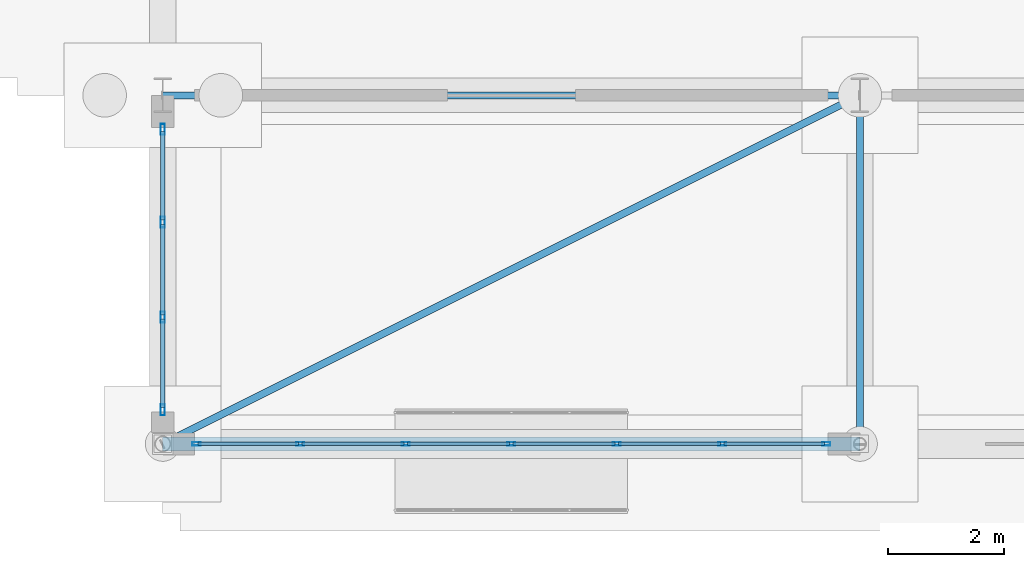
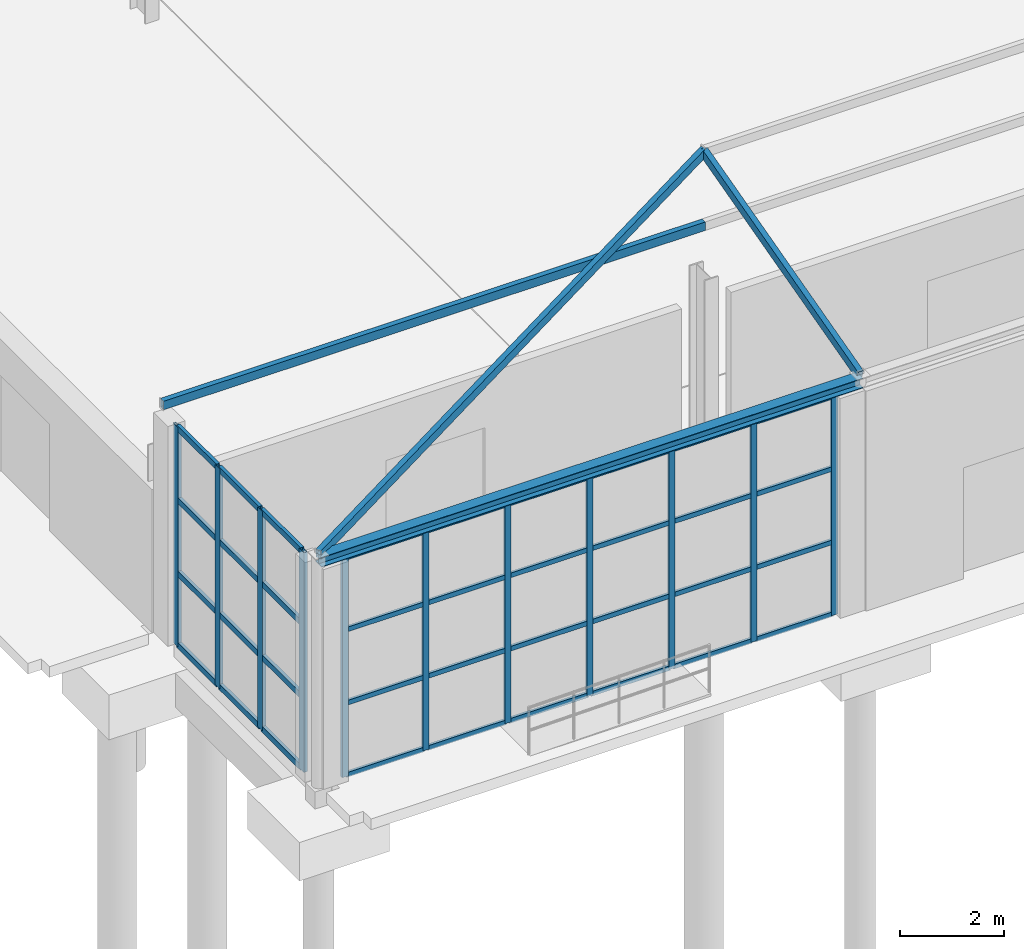
# One storey, part 35 of 77: 49 members, 2 beams, 2 elements without a shape of their own.
"""IFC4 building model written with IfcOpenShell, lengths in metres."""

from ifc_helpers import new_model, si_unit, direction, frame, origin, origin_2d, place, context, subcontext, project, spatial, hollow_rectangle, i_section, extrude, material, layer, layer_set, material_profile, profile_set, type_object, element, aggregate, save


model = new_model("IFC4")

# Units and contexts
model_context = context("Model", 3, precision=1e-05, world=origin(), true_north=direction((0.0, 1.0)))
body_context = subcontext(model_context, "Body", "Model", "MODEL_VIEW")
ifc_project = project(units=[si_unit("LENGTHUNIT", "METRE"), si_unit("AREAUNIT", "SQUARE_METRE"), si_unit("VOLUMEUNIT", "CUBIC_METRE"), si_unit("PLANEANGLEUNIT", "RADIAN"), si_unit("MASSUNIT", "GRAM", prefix="KILO")], contexts=[model_context])

# Site, building, storey
site_placement = place(None, origin())
site = spatial("IfcSite", under=ifc_project, at=site_placement, CompositionType="ELEMENT")
building_placement = place(site_placement, origin())
building = spatial("IfcBuilding", under=site, at=building_placement, Name="Zilviju Railside Exhibition Hall", CompositionType="ELEMENT")
storey_placement = place(building_placement, origin())
storey = spatial("IfcBuildingStorey", under=building, at=storey_placement, Name="L01", CompositionType="ELEMENT", Elevation=0.0)

# Beams
ifc_material_1 = material(Name="Steel S355ML", Category="steel")
ifc_material_profile_1 = material_profile(ifc_material_1, i_section(OverallWidth=0.239990234375, OverallDepth=0.22998046875, WebThickness=0.007568359375, FlangeThickness=0.011962890625, at=origin_2d()), Name="HEA 240")
ifc_profile_set_1 = profile_set([ifc_material_profile_1], Name="Steel S355ML")
beam_type_1 = type_object("IfcBeamType", Name="BM-HEA240", PredefinedType="SPANDREL", material=ifc_profile_set_1)
beam_1_placement = place(storey_placement, frame((48.0, -6.0, 5.280029296875), z_axis=(1.0, 0.0, 0.0), x_axis=(0.0, 1.0, 0.0)))
element("IfcBeam", 1, at=beam_1_placement, inside=storey, type_object=beam_type_1, Name="Porch Eave Beam Y=-6.0 (48.0..60.0)", PredefinedType="SPANDREL", context=body_context, shape_type="SweptSolid", body=[
    extrude(i_section(OverallWidth=0.239990234375, OverallDepth=0.22998046875, WebThickness=0.007568359375, FlangeThickness=0.011962890625, at=origin_2d()), origin(), (0.0, 0.0, 1.0), 12.0),
])
ifc_material_profile_2 = material_profile(ifc_material_1, hollow_rectangle(XDim=0.1201171875, YDim=0.199951171875, WallThickness=0.008056640625, at=origin_2d()), Name="RHS 200x120x8.0")
ifc_profile_set_2 = profile_set([ifc_material_profile_2], Name="Steel S355ML")
beam_type_2 = type_object("IfcBeamType", Name="BM-RHS200", PredefinedType="LINTEL", material=ifc_profile_set_2)
beam_2_placement = place(storey_placement, frame((48.0, 0.0, 5.280029296875), z_axis=(1.0, 0.0, 0.0), x_axis=(0.0, 1.0, 0.0)))
element("IfcBeam", 2, at=beam_2_placement, inside=storey, type_object=beam_type_2, Name="Porch Eave Beam Y=0.0 (48.0..60.0)", PredefinedType="LINTEL", context=body_context, shape_type="SweptSolid", body=[
    extrude(hollow_rectangle(XDim=0.1201171875, YDim=0.199951171875, WallThickness=0.008056640625, at=origin_2d()), origin(), (0.0, 0.0, 1.0), 12.0),
])

# Curtain wall, members
ifc_material_2 = material(Name="Thermally broken aluminium-steel triple-glazed curtain wall", Category="steel")
ifc_layer_1 = layer(ifc_material_2, 0.179931640625)
ifc_layer_set_1 = layer_set([ifc_layer_1], Name="Thermally broken aluminium-steel triple-glazed curtain wall")
curtain_wall_type_1 = type_object("IfcCurtainWallType", Name="CW-BAY-07", PredefinedType="USERDEFINED", material=ifc_layer_set_1)
curtain_wall_1_placement = place(storey_placement, origin())
curtain_wall_1 = element("IfcCurtainWall", 3, at=curtain_wall_1_placement, inside=storey, type_object=curtain_wall_type_1, Name="Glazed Entrance Porch South Curtain Wall (48..60)", ObjectType="GLAZED CURTAIN WALL", PredefinedType="USERDEFINED")
ifc_material_3 = material(Name="Thermally broken anodized aluminium mullion", Category="aluminium")
ifc_material_profile_3 = material_profile(ifc_material_3, hollow_rectangle(XDim=0.06005859375, YDim=0.139892578125, WallThickness=0.0048828125, at=origin_2d()), Name="MULLION 140x60x5")
ifc_profile_set_3 = profile_set([ifc_material_profile_3], Name="Thermally broken anodized aluminium mullion")
member_type_1 = type_object("IfcMemberType", Name="CWM-60x140", PredefinedType="MULLION", material=ifc_profile_set_3)
member_1_placement = place(storey_placement, frame((59.419921875, -6.0, 0.0), z_axis=(0.0, 0.0, 1.0), x_axis=(0.0, -1.0, 0.0)))
member_1 = element("IfcMember", 4, at=member_1_placement, type_object=member_type_1, Name="CW-07 mullion 1", PredefinedType="MULLION", context=body_context, shape_type="SweptSolid", body=[
    extrude(hollow_rectangle(XDim=0.06005859375, YDim=0.139892578125, WallThickness=0.0048828125, at=origin_2d()), origin(), (0.0, 0.0, 1.0), 5.14990234375),
])
member_2_placement = place(storey_placement, frame((57.63330078125, -6.0, 0.0), z_axis=(0.0, 0.0, 1.0), x_axis=(0.0, -1.0, 0.0)))
member_2 = element("IfcMember", 5, at=member_2_placement, type_object=member_type_1, Name="CW-07 mullion 2", PredefinedType="MULLION", context=body_context, shape_type="SweptSolid", body=[
    extrude(hollow_rectangle(XDim=0.06005859375, YDim=0.139892578125, WallThickness=0.0048828125, at=origin_2d()), origin(), (0.0, 0.0, 1.0), 5.14990234375),
])
member_3_placement = place(storey_placement, frame((55.816650390625, -6.0, 0.0), z_axis=(0.0, 0.0, 1.0), x_axis=(0.0, -1.0, 0.0)))
member_3 = element("IfcMember", 6, at=member_3_placement, type_object=member_type_1, Name="CW-07 mullion 3", PredefinedType="MULLION", context=body_context, shape_type="SweptSolid", body=[
    extrude(hollow_rectangle(XDim=0.06005859375, YDim=0.139892578125, WallThickness=0.0048828125, at=origin_2d()), origin(), (0.0, 0.0, 1.0), 5.14990234375),
])
member_4_placement = place(storey_placement, frame((54.0, -6.0, 0.0), z_axis=(0.0, 0.0, 1.0), x_axis=(0.0, -1.0, 0.0)))
member_4 = element("IfcMember", 7, at=member_4_placement, type_object=member_type_1, Name="CW-07 mullion 4", PredefinedType="MULLION", context=body_context, shape_type="SweptSolid", body=[
    extrude(hollow_rectangle(XDim=0.06005859375, YDim=0.139892578125, WallThickness=0.0048828125, at=origin_2d()), origin(), (0.0, 0.0, 1.0), 5.14990234375),
])
member_5_placement = place(storey_placement, frame((52.183349609375, -6.0, 0.0), z_axis=(0.0, 0.0, 1.0), x_axis=(0.0, -1.0, 0.0)))
member_5 = element("IfcMember", 8, at=member_5_placement, type_object=member_type_1, Name="CW-07 mullion 5", PredefinedType="MULLION", context=body_context, shape_type="SweptSolid", body=[
    extrude(hollow_rectangle(XDim=0.06005859375, YDim=0.139892578125, WallThickness=0.0048828125, at=origin_2d()), origin(), (0.0, 0.0, 1.0), 5.14990234375),
])
member_6_placement = place(storey_placement, frame((50.36669921875, -6.0, 0.0), z_axis=(0.0, 0.0, 1.0), x_axis=(0.0, -1.0, 0.0)))
member_6 = element("IfcMember", 9, at=member_6_placement, type_object=member_type_1, Name="CW-07 mullion 6", PredefinedType="MULLION", context=body_context, shape_type="SweptSolid", body=[
    extrude(hollow_rectangle(XDim=0.06005859375, YDim=0.139892578125, WallThickness=0.0048828125, at=origin_2d()), origin(), (0.0, 0.0, 1.0), 5.14990234375),
])
member_7_placement = place(storey_placement, frame((48.580078125, -6.0, 0.0), z_axis=(0.0, 0.0, 1.0), x_axis=(0.0, -1.0, 0.0)))
member_7 = element("IfcMember", 10, at=member_7_placement, type_object=member_type_1, Name="CW-07 mullion 7", PredefinedType="MULLION", context=body_context, shape_type="SweptSolid", body=[
    extrude(hollow_rectangle(XDim=0.06005859375, YDim=0.139892578125, WallThickness=0.0048828125, at=origin_2d()), origin(), (0.0, 0.0, 1.0), 5.14990234375),
])

ifc_layer_2 = layer(ifc_material_2, 0.179931640625)
ifc_layer_set_2 = layer_set([ifc_layer_2], Name="Thermally broken aluminium-steel triple-glazed curtain wall")
curtain_wall_type_2 = type_object("IfcCurtainWallType", Name="CW-BAY-09", PredefinedType="USERDEFINED", material=ifc_layer_set_2)
curtain_wall_2_placement = place(storey_placement, origin())
curtain_wall_2 = element("IfcCurtainWall", 11, at=curtain_wall_2_placement, inside=storey, type_object=curtain_wall_type_2, Name="Glazed Entrance Porch West Curtain Wall", ObjectType="GLAZED CURTAIN WALL", PredefinedType="USERDEFINED")
ifc_material_profile_4 = material_profile(ifc_material_3, hollow_rectangle(XDim=0.074951171875, YDim=0.18994140625, WallThickness=0.0048828125, at=origin_2d()), Name="MULLION 190x75x5")
ifc_profile_set_4 = profile_set([ifc_material_profile_4], Name="Thermally broken anodized aluminium mullion")
member_type_2 = type_object("IfcMemberType", Name="CWM-75x190", PredefinedType="MULLION", material=ifc_profile_set_4)
member_8_placement = place(storey_placement, frame((48.0, -5.41259765625, 0.0), z_axis=(0.0, 0.0, 1.0), x_axis=(-1.0, 0.0, 0.0)))
member_8 = element("IfcMember", 12, at=member_8_placement, type_object=member_type_2, Name="CW-09 mullion 1", PredefinedType="MULLION", context=body_context, shape_type="SweptSolid", body=[
    extrude(hollow_rectangle(XDim=0.074951171875, YDim=0.18994140625, WallThickness=0.0048828125, at=origin_2d()), origin(), (0.0, 0.0, 1.0), 5.14990234375),
])
member_9_placement = place(storey_placement, frame((48.0, -3.816650390625, 0.0), z_axis=(0.0, 0.0, 1.0), x_axis=(-1.0, 0.0, 0.0)))
member_9 = element("IfcMember", 13, at=member_9_placement, type_object=member_type_2, Name="CW-09 mullion 2", PredefinedType="MULLION", context=body_context, shape_type="SweptSolid", body=[
    extrude(hollow_rectangle(XDim=0.074951171875, YDim=0.18994140625, WallThickness=0.0048828125, at=origin_2d()), origin(), (0.0, 0.0, 1.0), 5.14990234375),
])
member_10_placement = place(storey_placement, frame((48.0, -2.183349609375, 0.0), z_axis=(0.0, 0.0, 1.0), x_axis=(-1.0, 0.0, 0.0)))
member_10 = element("IfcMember", 14, at=member_10_placement, type_object=member_type_2, Name="CW-09 mullion 3", PredefinedType="MULLION", context=body_context, shape_type="SweptSolid", body=[
    extrude(hollow_rectangle(XDim=0.074951171875, YDim=0.18994140625, WallThickness=0.0048828125, at=origin_2d()), origin(), (0.0, 0.0, 1.0), 5.14990234375),
])
member_11_placement = place(storey_placement, frame((48.0, -0.58740234375, 0.0), z_axis=(0.0, 0.0, 1.0), x_axis=(-1.0, 0.0, 0.0)))
member_11 = element("IfcMember", 15, at=member_11_placement, type_object=member_type_2, Name="CW-09 mullion 4", PredefinedType="MULLION", context=body_context, shape_type="SweptSolid", body=[
    extrude(hollow_rectangle(XDim=0.074951171875, YDim=0.18994140625, WallThickness=0.0048828125, at=origin_2d()), origin(), (0.0, 0.0, 1.0), 5.14990234375),
])

# Member
ifc_material_4 = material(Name="Thermally broken anodized aluminium transom", Category="aluminium")
ifc_material_profile_5 = material_profile(ifc_material_4, hollow_rectangle(XDim=0.06005859375, YDim=0.110107421875, WallThickness=0.0048828125, at=origin_2d()), Name="TRANSOM 110x60x5")
ifc_profile_set_5 = profile_set([ifc_material_profile_5], Name="Thermally broken anodized aluminium transom")
member_type_3 = type_object("IfcMemberType", Name="CWT-60x110", PredefinedType="USERDEFINED", material=ifc_profile_set_5)
member_12_placement = place(storey_placement, frame((59.389892578125, -6.0, 0.030029296875), z_axis=(-1.0, 0.0, 0.0), x_axis=(0.0, -1.0, 0.0)))
member_12 = element("IfcMember", 16, at=member_12_placement, type_object=member_type_3, Name="CW-07 transom 1.1", ObjectType="TRANSOM", PredefinedType="USERDEFINED", context=body_context, shape_type="SweptSolid", body=[
    extrude(hollow_rectangle(XDim=0.06005859375, YDim=0.110107421875, WallThickness=0.0048828125, at=origin_2d()), origin(), (0.0, 0.0, 1.0), 1.7265625),
])

member_13_placement = place(storey_placement, frame((59.389892578125, -6.0, 1.717041015625), z_axis=(-1.0, 0.0, 0.0), x_axis=(0.0, -1.0, 0.0)))
member_13 = element("IfcMember", 17, at=member_13_placement, type_object=member_type_3, Name="CW-07 transom 1.2", ObjectType="TRANSOM", PredefinedType="USERDEFINED", context=body_context, shape_type="SweptSolid", body=[
    extrude(hollow_rectangle(XDim=0.06005859375, YDim=0.110107421875, WallThickness=0.0048828125, at=origin_2d()), origin(), (0.0, 0.0, 1.0), 1.7265625),
])

member_14_placement = place(storey_placement, frame((59.389892578125, -6.0, 3.43310546875), z_axis=(-1.0, 0.0, 0.0), x_axis=(0.0, -1.0, 0.0)))
member_14 = element("IfcMember", 18, at=member_14_placement, type_object=member_type_3, Name="CW-07 transom 1.3", ObjectType="TRANSOM", PredefinedType="USERDEFINED", context=body_context, shape_type="SweptSolid", body=[
    extrude(hollow_rectangle(XDim=0.06005859375, YDim=0.110107421875, WallThickness=0.0048828125, at=origin_2d()), origin(), (0.0, 0.0, 1.0), 1.7265625),
])

member_15_placement = place(storey_placement, frame((59.389892578125, -6.0, 5.1201171875), z_axis=(-1.0, 0.0, 0.0), x_axis=(0.0, -1.0, 0.0)))
member_15 = element("IfcMember", 19, at=member_15_placement, type_object=member_type_3, Name="CW-07 transom 1.4", ObjectType="TRANSOM", PredefinedType="USERDEFINED", context=body_context, shape_type="SweptSolid", body=[
    extrude(hollow_rectangle(XDim=0.06005859375, YDim=0.110107421875, WallThickness=0.0048828125, at=origin_2d()), origin(), (0.0, 0.0, 1.0), 1.7265625),
])

member_16_placement = place(storey_placement, frame((57.603271484375, -6.0, 0.030029296875), z_axis=(-1.0, 0.0, 0.0), x_axis=(0.0, -1.0, 0.0)))
member_16 = element("IfcMember", 20, at=member_16_placement, type_object=member_type_3, Name="CW-07 transom 2.1", ObjectType="TRANSOM", PredefinedType="USERDEFINED", context=body_context, shape_type="SweptSolid", body=[
    extrude(hollow_rectangle(XDim=0.06005859375, YDim=0.110107421875, WallThickness=0.0048828125, at=origin_2d()), origin(), (0.0, 0.0, 1.0), 1.756591796875),
])

member_17_placement = place(storey_placement, frame((57.603271484375, -6.0, 1.717041015625), z_axis=(-1.0, 0.0, 0.0), x_axis=(0.0, -1.0, 0.0)))
member_17 = element("IfcMember", 21, at=member_17_placement, type_object=member_type_3, Name="CW-07 transom 2.2", ObjectType="TRANSOM", PredefinedType="USERDEFINED", context=body_context, shape_type="SweptSolid", body=[
    extrude(hollow_rectangle(XDim=0.06005859375, YDim=0.110107421875, WallThickness=0.0048828125, at=origin_2d()), origin(), (0.0, 0.0, 1.0), 1.756591796875),
])

member_18_placement = place(storey_placement, frame((57.603271484375, -6.0, 3.43310546875), z_axis=(-1.0, 0.0, 0.0), x_axis=(0.0, -1.0, 0.0)))
member_18 = element("IfcMember", 22, at=member_18_placement, type_object=member_type_3, Name="CW-07 transom 2.3", ObjectType="TRANSOM", PredefinedType="USERDEFINED", context=body_context, shape_type="SweptSolid", body=[
    extrude(hollow_rectangle(XDim=0.06005859375, YDim=0.110107421875, WallThickness=0.0048828125, at=origin_2d()), origin(), (0.0, 0.0, 1.0), 1.756591796875),
])

member_19_placement = place(storey_placement, frame((57.603271484375, -6.0, 5.1201171875), z_axis=(-1.0, 0.0, 0.0), x_axis=(0.0, -1.0, 0.0)))
member_19 = element("IfcMember", 23, at=member_19_placement, type_object=member_type_3, Name="CW-07 transom 2.4", ObjectType="TRANSOM", PredefinedType="USERDEFINED", context=body_context, shape_type="SweptSolid", body=[
    extrude(hollow_rectangle(XDim=0.06005859375, YDim=0.110107421875, WallThickness=0.0048828125, at=origin_2d()), origin(), (0.0, 0.0, 1.0), 1.756591796875),
])

member_20_placement = place(storey_placement, frame((55.78662109375, -6.0, 0.030029296875), z_axis=(-1.0, 0.0, 0.0), x_axis=(0.0, -1.0, 0.0)))
member_20 = element("IfcMember", 24, at=member_20_placement, type_object=member_type_3, Name="CW-07 transom 3.1", ObjectType="TRANSOM", PredefinedType="USERDEFINED", context=body_context, shape_type="SweptSolid", body=[
    extrude(hollow_rectangle(XDim=0.06005859375, YDim=0.110107421875, WallThickness=0.0048828125, at=origin_2d()), origin(), (0.0, 0.0, 1.0), 1.756591796875),
])

member_21_placement = place(storey_placement, frame((55.78662109375, -6.0, 1.717041015625), z_axis=(-1.0, 0.0, 0.0), x_axis=(0.0, -1.0, 0.0)))
member_21 = element("IfcMember", 25, at=member_21_placement, type_object=member_type_3, Name="CW-07 transom 3.2", ObjectType="TRANSOM", PredefinedType="USERDEFINED", context=body_context, shape_type="SweptSolid", body=[
    extrude(hollow_rectangle(XDim=0.06005859375, YDim=0.110107421875, WallThickness=0.0048828125, at=origin_2d()), origin(), (0.0, 0.0, 1.0), 1.756591796875),
])

member_22_placement = place(storey_placement, frame((55.78662109375, -6.0, 3.43310546875), z_axis=(-1.0, 0.0, 0.0), x_axis=(0.0, -1.0, 0.0)))
member_22 = element("IfcMember", 26, at=member_22_placement, type_object=member_type_3, Name="CW-07 transom 3.3", ObjectType="TRANSOM", PredefinedType="USERDEFINED", context=body_context, shape_type="SweptSolid", body=[
    extrude(hollow_rectangle(XDim=0.06005859375, YDim=0.110107421875, WallThickness=0.0048828125, at=origin_2d()), origin(), (0.0, 0.0, 1.0), 1.756591796875),
])

member_23_placement = place(storey_placement, frame((55.78662109375, -6.0, 5.1201171875), z_axis=(-1.0, 0.0, 0.0), x_axis=(0.0, -1.0, 0.0)))
member_23 = element("IfcMember", 27, at=member_23_placement, type_object=member_type_3, Name="CW-07 transom 3.4", ObjectType="TRANSOM", PredefinedType="USERDEFINED", context=body_context, shape_type="SweptSolid", body=[
    extrude(hollow_rectangle(XDim=0.06005859375, YDim=0.110107421875, WallThickness=0.0048828125, at=origin_2d()), origin(), (0.0, 0.0, 1.0), 1.756591796875),
])

member_24_placement = place(storey_placement, frame((53.969970703125, -6.0, 0.030029296875), z_axis=(-1.0, 0.0, 0.0), x_axis=(0.0, -1.0, 0.0)))
member_24 = element("IfcMember", 28, at=member_24_placement, type_object=member_type_3, Name="CW-07 transom 4.1", ObjectType="TRANSOM", PredefinedType="USERDEFINED", context=body_context, shape_type="SweptSolid", body=[
    extrude(hollow_rectangle(XDim=0.06005859375, YDim=0.110107421875, WallThickness=0.0048828125, at=origin_2d()), origin(), (0.0, 0.0, 1.0), 1.756591796875),
])

member_25_placement = place(storey_placement, frame((53.969970703125, -6.0, 1.717041015625), z_axis=(-1.0, 0.0, 0.0), x_axis=(0.0, -1.0, 0.0)))
member_25 = element("IfcMember", 29, at=member_25_placement, type_object=member_type_3, Name="CW-07 transom 4.2", ObjectType="TRANSOM", PredefinedType="USERDEFINED", context=body_context, shape_type="SweptSolid", body=[
    extrude(hollow_rectangle(XDim=0.06005859375, YDim=0.110107421875, WallThickness=0.0048828125, at=origin_2d()), origin(), (0.0, 0.0, 1.0), 1.756591796875),
])

member_26_placement = place(storey_placement, frame((53.969970703125, -6.0, 3.43310546875), z_axis=(-1.0, 0.0, 0.0), x_axis=(0.0, -1.0, 0.0)))
member_26 = element("IfcMember", 30, at=member_26_placement, type_object=member_type_3, Name="CW-07 transom 4.3", ObjectType="TRANSOM", PredefinedType="USERDEFINED", context=body_context, shape_type="SweptSolid", body=[
    extrude(hollow_rectangle(XDim=0.06005859375, YDim=0.110107421875, WallThickness=0.0048828125, at=origin_2d()), origin(), (0.0, 0.0, 1.0), 1.756591796875),
])

member_27_placement = place(storey_placement, frame((53.969970703125, -6.0, 5.1201171875), z_axis=(-1.0, 0.0, 0.0), x_axis=(0.0, -1.0, 0.0)))
member_27 = element("IfcMember", 31, at=member_27_placement, type_object=member_type_3, Name="CW-07 transom 4.4", ObjectType="TRANSOM", PredefinedType="USERDEFINED", context=body_context, shape_type="SweptSolid", body=[
    extrude(hollow_rectangle(XDim=0.06005859375, YDim=0.110107421875, WallThickness=0.0048828125, at=origin_2d()), origin(), (0.0, 0.0, 1.0), 1.756591796875),
])

member_28_placement = place(storey_placement, frame((52.1533203125, -6.0, 0.030029296875), z_axis=(-1.0, 0.0, 0.0), x_axis=(0.0, -1.0, 0.0)))
member_28 = element("IfcMember", 32, at=member_28_placement, type_object=member_type_3, Name="CW-07 transom 5.1", ObjectType="TRANSOM", PredefinedType="USERDEFINED", context=body_context, shape_type="SweptSolid", body=[
    extrude(hollow_rectangle(XDim=0.06005859375, YDim=0.110107421875, WallThickness=0.0048828125, at=origin_2d()), origin(), (0.0, 0.0, 1.0), 1.756591796875),
])

member_29_placement = place(storey_placement, frame((52.1533203125, -6.0, 1.717041015625), z_axis=(-1.0, 0.0, 0.0), x_axis=(0.0, -1.0, 0.0)))
member_29 = element("IfcMember", 33, at=member_29_placement, type_object=member_type_3, Name="CW-07 transom 5.2", ObjectType="TRANSOM", PredefinedType="USERDEFINED", context=body_context, shape_type="SweptSolid", body=[
    extrude(hollow_rectangle(XDim=0.06005859375, YDim=0.110107421875, WallThickness=0.0048828125, at=origin_2d()), origin(), (0.0, 0.0, 1.0), 1.756591796875),
])

member_30_placement = place(storey_placement, frame((52.1533203125, -6.0, 3.43310546875), z_axis=(-1.0, 0.0, 0.0), x_axis=(0.0, -1.0, 0.0)))
member_30 = element("IfcMember", 34, at=member_30_placement, type_object=member_type_3, Name="CW-07 transom 5.3", ObjectType="TRANSOM", PredefinedType="USERDEFINED", context=body_context, shape_type="SweptSolid", body=[
    extrude(hollow_rectangle(XDim=0.06005859375, YDim=0.110107421875, WallThickness=0.0048828125, at=origin_2d()), origin(), (0.0, 0.0, 1.0), 1.756591796875),
])

member_31_placement = place(storey_placement, frame((52.1533203125, -6.0, 5.1201171875), z_axis=(-1.0, 0.0, 0.0), x_axis=(0.0, -1.0, 0.0)))
member_31 = element("IfcMember", 35, at=member_31_placement, type_object=member_type_3, Name="CW-07 transom 5.4", ObjectType="TRANSOM", PredefinedType="USERDEFINED", context=body_context, shape_type="SweptSolid", body=[
    extrude(hollow_rectangle(XDim=0.06005859375, YDim=0.110107421875, WallThickness=0.0048828125, at=origin_2d()), origin(), (0.0, 0.0, 1.0), 1.756591796875),
])

member_32_placement = place(storey_placement, frame((50.336669921875, -6.0, 0.030029296875), z_axis=(-1.0, 0.0, 0.0), x_axis=(0.0, -1.0, 0.0)))
member_32 = element("IfcMember", 36, at=member_32_placement, type_object=member_type_3, Name="CW-07 transom 6.1", ObjectType="TRANSOM", PredefinedType="USERDEFINED", context=body_context, shape_type="SweptSolid", body=[
    extrude(hollow_rectangle(XDim=0.06005859375, YDim=0.110107421875, WallThickness=0.0048828125, at=origin_2d()), origin(), (0.0, 0.0, 1.0), 1.7265625),
])

member_33_placement = place(storey_placement, frame((50.336669921875, -6.0, 1.717041015625), z_axis=(-1.0, 0.0, 0.0), x_axis=(0.0, -1.0, 0.0)))
member_33 = element("IfcMember", 37, at=member_33_placement, type_object=member_type_3, Name="CW-07 transom 6.2", ObjectType="TRANSOM", PredefinedType="USERDEFINED", context=body_context, shape_type="SweptSolid", body=[
    extrude(hollow_rectangle(XDim=0.06005859375, YDim=0.110107421875, WallThickness=0.0048828125, at=origin_2d()), origin(), (0.0, 0.0, 1.0), 1.7265625),
])

member_34_placement = place(storey_placement, frame((50.336669921875, -6.0, 3.43310546875), z_axis=(-1.0, 0.0, 0.0), x_axis=(0.0, -1.0, 0.0)))
member_34 = element("IfcMember", 38, at=member_34_placement, type_object=member_type_3, Name="CW-07 transom 6.3", ObjectType="TRANSOM", PredefinedType="USERDEFINED", context=body_context, shape_type="SweptSolid", body=[
    extrude(hollow_rectangle(XDim=0.06005859375, YDim=0.110107421875, WallThickness=0.0048828125, at=origin_2d()), origin(), (0.0, 0.0, 1.0), 1.7265625),
])

member_35_placement = place(storey_placement, frame((50.336669921875, -6.0, 5.1201171875), z_axis=(-1.0, 0.0, 0.0), x_axis=(0.0, -1.0, 0.0)))
member_35 = element("IfcMember", 39, at=member_35_placement, type_object=member_type_3, Name="CW-07 transom 6.4", ObjectType="TRANSOM", PredefinedType="USERDEFINED", context=body_context, shape_type="SweptSolid", body=[
    extrude(hollow_rectangle(XDim=0.06005859375, YDim=0.110107421875, WallThickness=0.0048828125, at=origin_2d()), origin(), (0.0, 0.0, 1.0), 1.7265625),
])

aggregate(curtain_wall_1, [member_1, member_2, member_3, member_4, member_5, member_6, member_7, member_12, member_13, member_14, member_15, member_16, member_17, member_18, member_19, member_20, member_21, member_22, member_23, member_24, member_25, member_26, member_27, member_28, member_29, member_30, member_31, member_32, member_33, member_34, member_35])

ifc_material_profile_6 = material_profile(ifc_material_4, hollow_rectangle(XDim=0.074951171875, YDim=0.139892578125, WallThickness=0.0048828125, at=origin_2d()), Name="TRANSOM 140x75x5")
ifc_profile_set_6 = profile_set([ifc_material_profile_6], Name="Thermally broken anodized aluminium transom")
member_type_4 = type_object("IfcMemberType", Name="CWT-75x140", PredefinedType="USERDEFINED", material=ifc_profile_set_6)
member_36_placement = place(storey_placement, frame((48.0, -5.375, 0.03759765625), z_axis=(0.0, 1.0, 0.0), x_axis=(-1.0, 0.0, 0.0)))
member_36 = element("IfcMember", 40, at=member_36_placement, type_object=member_type_4, Name="CW-09 transom 1.1", ObjectType="TRANSOM", PredefinedType="USERDEFINED", context=body_context, shape_type="SweptSolid", body=[
    extrude(hollow_rectangle(XDim=0.074951171875, YDim=0.139892578125, WallThickness=0.0048828125, at=origin_2d()), origin(), (0.0, 0.0, 1.0), 1.520751953125),
])

member_37_placement = place(storey_placement, frame((48.0, -5.375, 1.717041015625), z_axis=(0.0, 1.0, 0.0), x_axis=(-1.0, 0.0, 0.0)))
member_37 = element("IfcMember", 41, at=member_37_placement, type_object=member_type_4, Name="CW-09 transom 1.2", ObjectType="TRANSOM", PredefinedType="USERDEFINED", context=body_context, shape_type="SweptSolid", body=[
    extrude(hollow_rectangle(XDim=0.074951171875, YDim=0.139892578125, WallThickness=0.0048828125, at=origin_2d()), origin(), (0.0, 0.0, 1.0), 1.520751953125),
])

member_38_placement = place(storey_placement, frame((48.0, -5.375, 3.43310546875), z_axis=(0.0, 1.0, 0.0), x_axis=(-1.0, 0.0, 0.0)))
member_38 = element("IfcMember", 42, at=member_38_placement, type_object=member_type_4, Name="CW-09 transom 1.3", ObjectType="TRANSOM", PredefinedType="USERDEFINED", context=body_context, shape_type="SweptSolid", body=[
    extrude(hollow_rectangle(XDim=0.074951171875, YDim=0.139892578125, WallThickness=0.0048828125, at=origin_2d()), origin(), (0.0, 0.0, 1.0), 1.520751953125),
])

member_39_placement = place(storey_placement, frame((48.0, -5.375, 5.112548828125), z_axis=(0.0, 1.0, 0.0), x_axis=(-1.0, 0.0, 0.0)))
member_39 = element("IfcMember", 43, at=member_39_placement, type_object=member_type_4, Name="CW-09 transom 1.4", ObjectType="TRANSOM", PredefinedType="USERDEFINED", context=body_context, shape_type="SweptSolid", body=[
    extrude(hollow_rectangle(XDim=0.074951171875, YDim=0.139892578125, WallThickness=0.0048828125, at=origin_2d()), origin(), (0.0, 0.0, 1.0), 1.520751953125),
])

member_40_placement = place(storey_placement, frame((48.0, -3.779052734375, 0.03759765625), z_axis=(0.0, 1.0, 0.0), x_axis=(-1.0, 0.0, 0.0)))
member_40 = element("IfcMember", 44, at=member_40_placement, type_object=member_type_4, Name="CW-09 transom 2.1", ObjectType="TRANSOM", PredefinedType="USERDEFINED", context=body_context, shape_type="SweptSolid", body=[
    extrude(hollow_rectangle(XDim=0.074951171875, YDim=0.139892578125, WallThickness=0.0048828125, at=origin_2d()), origin(), (0.0, 0.0, 1.0), 1.55810546875),
])

member_41_placement = place(storey_placement, frame((48.0, -3.779052734375, 1.717041015625), z_axis=(0.0, 1.0, 0.0), x_axis=(-1.0, 0.0, 0.0)))
member_41 = element("IfcMember", 45, at=member_41_placement, type_object=member_type_4, Name="CW-09 transom 2.2", ObjectType="TRANSOM", PredefinedType="USERDEFINED", context=body_context, shape_type="SweptSolid", body=[
    extrude(hollow_rectangle(XDim=0.074951171875, YDim=0.139892578125, WallThickness=0.0048828125, at=origin_2d()), origin(), (0.0, 0.0, 1.0), 1.55810546875),
])

member_42_placement = place(storey_placement, frame((48.0, -3.779052734375, 3.43310546875), z_axis=(0.0, 1.0, 0.0), x_axis=(-1.0, 0.0, 0.0)))
member_42 = element("IfcMember", 46, at=member_42_placement, type_object=member_type_4, Name="CW-09 transom 2.3", ObjectType="TRANSOM", PredefinedType="USERDEFINED", context=body_context, shape_type="SweptSolid", body=[
    extrude(hollow_rectangle(XDim=0.074951171875, YDim=0.139892578125, WallThickness=0.0048828125, at=origin_2d()), origin(), (0.0, 0.0, 1.0), 1.55810546875),
])

member_43_placement = place(storey_placement, frame((48.0, -3.779052734375, 5.112548828125), z_axis=(0.0, 1.0, 0.0), x_axis=(-1.0, 0.0, 0.0)))
member_43 = element("IfcMember", 47, at=member_43_placement, type_object=member_type_4, Name="CW-09 transom 2.4", ObjectType="TRANSOM", PredefinedType="USERDEFINED", context=body_context, shape_type="SweptSolid", body=[
    extrude(hollow_rectangle(XDim=0.074951171875, YDim=0.139892578125, WallThickness=0.0048828125, at=origin_2d()), origin(), (0.0, 0.0, 1.0), 1.55810546875),
])

member_44_placement = place(storey_placement, frame((48.0, -2.145751953125, 0.03759765625), z_axis=(0.0, 1.0, 0.0), x_axis=(-1.0, 0.0, 0.0)))
member_44 = element("IfcMember", 48, at=member_44_placement, type_object=member_type_4, Name="CW-09 transom 3.1", ObjectType="TRANSOM", PredefinedType="USERDEFINED", context=body_context, shape_type="SweptSolid", body=[
    extrude(hollow_rectangle(XDim=0.074951171875, YDim=0.139892578125, WallThickness=0.0048828125, at=origin_2d()), origin(), (0.0, 0.0, 1.0), 1.520751953125),
])

member_45_placement = place(storey_placement, frame((48.0, -2.145751953125, 1.717041015625), z_axis=(0.0, 1.0, 0.0), x_axis=(-1.0, 0.0, 0.0)))
member_45 = element("IfcMember", 49, at=member_45_placement, type_object=member_type_4, Name="CW-09 transom 3.2", ObjectType="TRANSOM", PredefinedType="USERDEFINED", context=body_context, shape_type="SweptSolid", body=[
    extrude(hollow_rectangle(XDim=0.074951171875, YDim=0.139892578125, WallThickness=0.0048828125, at=origin_2d()), origin(), (0.0, 0.0, 1.0), 1.520751953125),
])

member_46_placement = place(storey_placement, frame((48.0, -2.145751953125, 3.43310546875), z_axis=(0.0, 1.0, 0.0), x_axis=(-1.0, 0.0, 0.0)))
member_46 = element("IfcMember", 50, at=member_46_placement, type_object=member_type_4, Name="CW-09 transom 3.3", ObjectType="TRANSOM", PredefinedType="USERDEFINED", context=body_context, shape_type="SweptSolid", body=[
    extrude(hollow_rectangle(XDim=0.074951171875, YDim=0.139892578125, WallThickness=0.0048828125, at=origin_2d()), origin(), (0.0, 0.0, 1.0), 1.520751953125),
])

member_47_placement = place(storey_placement, frame((48.0, -2.145751953125, 5.112548828125), z_axis=(0.0, 1.0, 0.0), x_axis=(-1.0, 0.0, 0.0)))
member_47 = element("IfcMember", 51, at=member_47_placement, type_object=member_type_4, Name="CW-09 transom 3.4", ObjectType="TRANSOM", PredefinedType="USERDEFINED", context=body_context, shape_type="SweptSolid", body=[
    extrude(hollow_rectangle(XDim=0.074951171875, YDim=0.139892578125, WallThickness=0.0048828125, at=origin_2d()), origin(), (0.0, 0.0, 1.0), 1.520751953125),
])

aggregate(curtain_wall_2, [member_8, member_9, member_10, member_11, member_36, member_37, member_38, member_39, member_40, member_41, member_42, member_43, member_44, member_45, member_46, member_47])

# Members
ifc_material_profile_7 = material_profile(ifc_material_1, hollow_rectangle(XDim=0.1201171875, YDim=0.199951171875, WallThickness=0.008056640625, at=origin_2d()), Name="RHS 200x120x8.0")
ifc_profile_set_7 = profile_set([ifc_material_profile_7], Name="Steel S355ML")
member_type_5 = type_object("IfcMemberType", Name="TR-RAF-RHS200", PredefinedType="RAFTER", material=ifc_profile_set_7)
member_48_placement = place(storey_placement, frame((60.0, -6.0, 5.39990234375), z_axis=(0.0, 0.966231024199, 0.25767733287), x_axis=(-1.0, 0.0, 0.0)))
element("IfcMember", 52, at=member_48_placement, inside=storey, type_object=member_type_5, Name="Entrance Porch Wrought-Iron Rafter X=60.0", PredefinedType="RAFTER", context=body_context, shape_type="SweptSolid", body=[
    extrude(hollow_rectangle(XDim=0.1201171875, YDim=0.199951171875, WallThickness=0.008056640625, at=origin_2d()), origin(), (0.0, 0.0, 1.0), 6.209716796875),
])
member_49_placement = place(storey_placement, frame((48.0, -6.0, 5.39990234375), z_axis=(0.888133109465, 0.444066554733, 0.118424975574), x_axis=(-0.4472135955, 0.894427191, 0.0)))
element("IfcMember", 53, at=member_49_placement, inside=storey, type_object=member_type_5, Name="Entrance Porch Hip Rafter", PredefinedType="RAFTER", context=body_context, shape_type="SweptSolid", body=[
    extrude(hollow_rectangle(XDim=0.1201171875, YDim=0.199951171875, WallThickness=0.008056640625, at=origin_2d()), origin(), (0.0, 0.0, 1.0), 13.511474609375),
])

save(model, "model.ifc")
